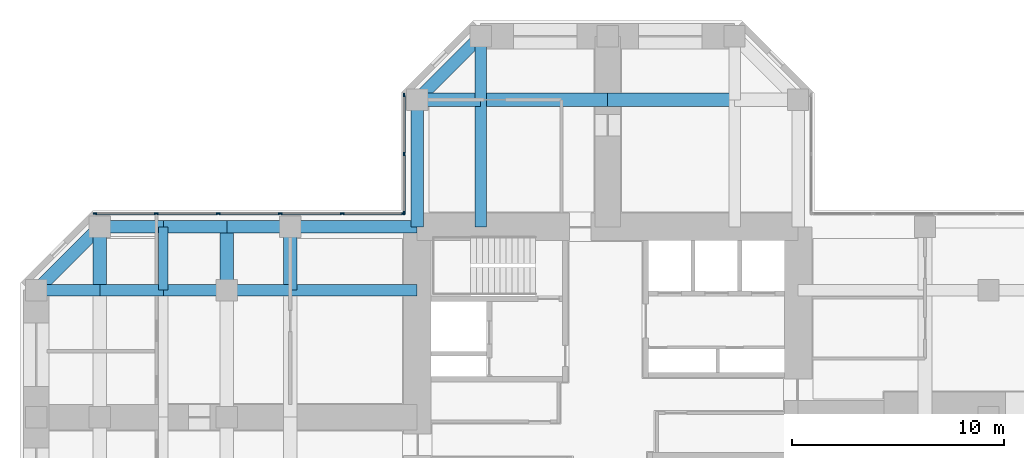
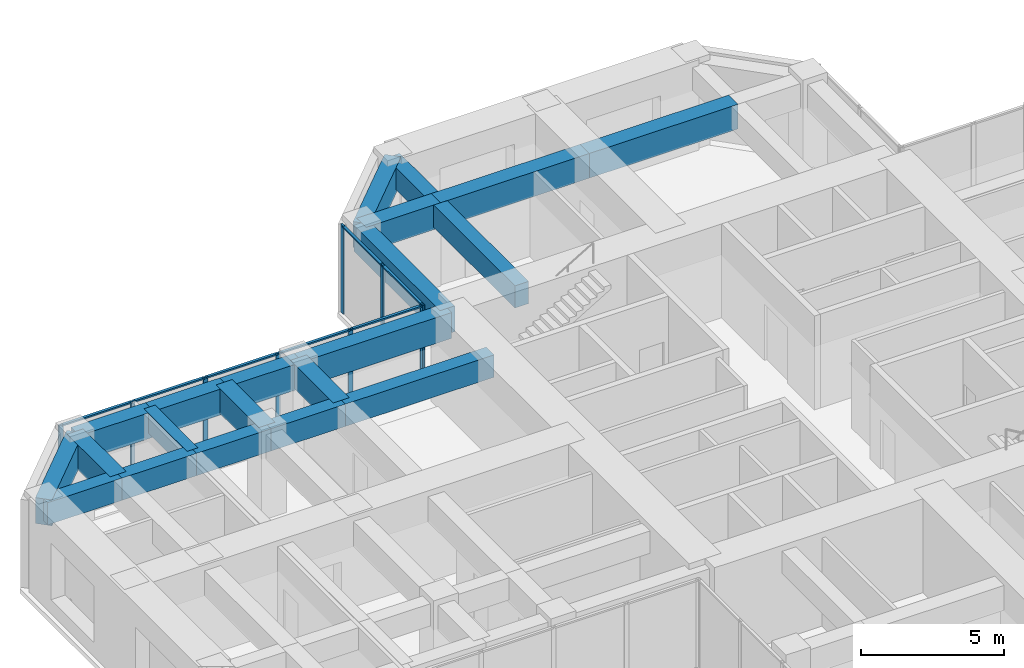
# One storey, part 5 of 13: 21 beams, 16 members, 2 elements without a shape of their own.
"""IFC4 building model written with IfcOpenShell, lengths in metres."""

import ifcopenshell
import ifcopenshell.guid

model = None  # the IFC model being written
_history = None  # IfcOwnerHistory: only IFC2X3 demands one
_inside = {}  # id of a spatial element -> (the spatial element, [elements in it])
_under = {}  # id of a project, library or spatial element -> (it, [spatial elements below it])
_declared = {}  # id of a project -> (the project, [libraries it declares])
_typed = {}  # id of a type object -> (the type object, [elements of that type])
_made_of = {}  # id of a material, layer set ... -> (it, [elements and type objects made of it])


def new_model(schema):
    """Start an empty IFC model of exactly this schema.

    Asked for "IFC4X3", IfcOpenShell would pick the latest addendum, in which some entities
    have other attributes; the version numbers below select the first issue.
    IFC2X3 requires an IfcOwnerHistory on every rooted entity: one is made here for all.
    """
    global model, _history
    if schema == "IFC4X3":
        model = ifcopenshell.file(schema_version=(4, 3, 0, 0))
    else:
        model = ifcopenshell.file(schema=schema)
    _inside.clear()
    _under.clear()
    _declared.clear()
    _typed.clear()
    _made_of.clear()
    _history = None
    if model.schema == "IFC2X3":
        org = make("IfcOrganization", Name="unknown")
        user = make(
            "IfcPersonAndOrganization",
            ThePerson=make("IfcPerson", FamilyName="unknown"),
            TheOrganization=org,
        )
        app = make(
            "IfcApplication",
            ApplicationDeveloper=org,
            Version="unknown",
            ApplicationFullName="unknown",
            ApplicationIdentifier="unknown",
        )
        _history = make(
            "IfcOwnerHistory",
            OwningUser=user,
            OwningApplication=app,
            ChangeAction="ADDED",
            CreationDate=0,
        )
    return model


def make(cls, **values):
    """One entity of the class cls with the attributes given. An attribute that is None is left unset."""
    return model.create_entity(
        cls, **{name: value for name, value in values.items() if value is not None}
    )


def rooted(cls, **values):
    """An entity with a GlobalId (a new one), such as an element, a storey or a relation."""
    return make(cls, GlobalId=ifcopenshell.guid.new(), OwnerHistory=_history, **values)


def si_unit(unit_type, name, prefix=None):
    """IfcSIUnit, for example si_unit("LENGTHUNIT", "METRE", prefix="MILLI")."""
    return make("IfcSIUnit", UnitType=unit_type, Prefix=prefix, Name=name)


def assignment(units):
    """IfcUnitAssignment: the units of a project."""
    return None if units is None else make("IfcUnitAssignment", Units=units)


def point(xyz):
    """IfcCartesianPoint."""
    return None if xyz is None else make("IfcCartesianPoint", Coordinates=xyz)


def direction(xyz):
    """IfcDirection."""
    return None if xyz is None else make("IfcDirection", DirectionRatios=xyz)


def frame(location, z_axis=None, x_axis=None):
    """IfcAxis2Placement3D, a coordinate frame: its origin and axes. An axis left out is left unset."""
    return make(
        "IfcAxis2Placement3D",
        Location=point(location),
        Axis=direction(z_axis),
        RefDirection=direction(x_axis),
    )


def frame_2d(location, x_axis=None):
    """IfcAxis2Placement2D, a coordinate frame in the plane: its origin and x axis."""
    return make(
        "IfcAxis2Placement2D", Location=point(location), RefDirection=direction(x_axis)
    )


def origin():
    """The frame at (0, 0, 0) with its axes left unset."""
    return frame((0.0, 0.0, 0.0))


def origin_2d():
    """The frame at (0, 0) in the plane with its x axis left unset."""
    return frame_2d((0.0, 0.0))


def place(relative_to, where):
    """IfcLocalPlacement: puts the frame where relative to a parent placement (None: the world)."""
    return make(
        "IfcLocalPlacement", PlacementRelTo=relative_to, RelativePlacement=where
    )


def context(
    kind, dimensions, precision=None, world=None, true_north=None, identifier=None
):
    """IfcGeometricRepresentationContext, for example the 3D "Model" context."""
    return make(
        "IfcGeometricRepresentationContext",
        ContextIdentifier=identifier,
        ContextType=kind,
        CoordinateSpaceDimension=dimensions,
        Precision=precision,
        WorldCoordinateSystem=world,
        TrueNorth=true_north,
    )


def subcontext(parent, identifier, kind, view, scale=None):
    """IfcGeometricRepresentationSubContext, for example "Body" below "Model"."""
    return make(
        "IfcGeometricRepresentationSubContext",
        ContextIdentifier=identifier,
        ContextType=kind,
        ParentContext=parent,
        TargetScale=scale,
        TargetView=view,
    )


def project(units=None, contexts=None):
    """IfcProject with its units and contexts."""
    return rooted(
        "IfcProject",
        Name="project",
        RepresentationContexts=contexts,
        UnitsInContext=assignment(units),
    )


def spatial(cls, under=None, at=None, **own):
    """A site, building, storey or space (cls), placed at a placement, below another one or the project."""
    s = rooted(cls, ObjectPlacement=at, **own)
    if under is not None:
        _under.setdefault(under.id(), (under, []))[1].append(s)
    return s


def profile(cls, at=None, kind="AREA", **sizes):
    """A parametric profile (cls). Its sizes go by their IFC names, for example OverallWidth=200.0."""
    return make(cls, ProfileType=kind, Position=at, **sizes)


def rectangle(**sizes):
    """IfcRectangleProfileDef."""
    return profile("IfcRectangleProfileDef", **sizes)


def extrude(swept, where, along, depth):
    """IfcExtrudedAreaSolid: the profile swept, set in the frame where, extruded along a direction by depth."""
    return make(
        "IfcExtrudedAreaSolid",
        SweptArea=swept,
        Position=where,
        ExtrudedDirection=direction(along),
        Depth=depth,
    )


def shape(context_of_items, identifier, shape_type, items):
    """IfcShapeRepresentation: the items that make up one representation, for example the "Body"."""
    return make(
        "IfcShapeRepresentation",
        ContextOfItems=context_of_items,
        RepresentationIdentifier=identifier,
        RepresentationType=shape_type,
        Items=items,
    )


def material(Name=None, Category=None):
    """IfcMaterial."""
    return make("IfcMaterial", Name=Name, Category=Category)


def material_profile(
    of_material, cross_section, Name=None, Category=None, Priority=None
):
    """IfcMaterialProfile: a cross section and its material."""
    return make(
        "IfcMaterialProfile",
        Name=Name,
        Material=of_material,
        Profile=cross_section,
        Priority=Priority,
        Category=Category,
    )


def profile_set(profiles, Name=None, composite=None):
    """IfcMaterialProfileSet."""
    return make(
        "IfcMaterialProfileSet",
        Name=Name,
        MaterialProfiles=profiles,
        CompositeProfile=composite,
    )


def made_of(thing, what):
    """Note that an element or type object is made of a material, layer set ...; save() writes the relation."""
    if what is not None:
        _made_of.setdefault(what.id(), (what, []))[1].append(thing)
    return thing


def type_object(cls, material=None, **own):
    """A type object (cls), such as IfcWallType, which elements share."""
    return made_of(rooted(cls, **own), material)


def element(
    cls,
    number,
    at=None,
    inside=None,
    cuts=None,
    type_object=None,
    material=None,
    context=None,
    identifier="Body",
    shape_type=None,
    held_by="IfcProductDefinitionShape",
    body=None,
    shapes=None,
    **own,
):
    """One element of the class cls, such as IfcWall. Its Tag is "e" and its number.

    at: its placement. inside: the storey or other place that contains it. cuts: it is an
    opening in that element (IfcRelVoidsElement). A single representation is given by context,
    identifier, shape_type and body (its items); several are given by shapes. held_by: the class
    of the entity that holds the representations. save() writes the other relations.
    """
    e = rooted(cls, Tag="e%d" % number, ObjectPlacement=at, **own)
    if body is not None:
        shapes = [shape(context, identifier, shape_type, body)]
    if shapes is not None:
        e.Representation = make(held_by, Representations=shapes)
    if inside is not None:
        _inside.setdefault(inside.id(), (inside, []))[1].append(e)
    if cuts is not None:
        rooted(
            "IfcRelVoidsElement", RelatingBuildingElement=cuts, RelatedOpeningElement=e
        )
    if type_object is not None:
        _typed.setdefault(type_object.id(), (type_object, []))[1].append(e)
    return made_of(e, material)


def aggregate(whole, parts):
    """IfcRelAggregates: a whole, such as a stair, and the parts it consists of."""
    return rooted("IfcRelAggregates", RelatingObject=whole, RelatedObjects=parts)


def save(model, path):
    """Write the relations noted so far, then the file.

    IfcRelAggregates (storeys below a building ...), IfcRelContainedInSpatialStructure (elements
    in a storey), IfcRelDefinesByType, IfcRelAssociatesMaterial and IfcRelDeclares: one each for
    every whole, place, type object, material and project.
    """
    for whole, parts in _under.values():
        aggregate(whole, parts)
    for where, things in _inside.values():
        rooted(
            "IfcRelContainedInSpatialStructure",
            RelatedElements=things,
            RelatingStructure=where,
        )
    for kind, things in _typed.values():
        rooted("IfcRelDefinesByType", RelatedObjects=things, RelatingType=kind)
    for what, things in _made_of.values():
        rooted("IfcRelAssociatesMaterial", RelatedObjects=things, RelatingMaterial=what)
    for by, libraries in _declared.values():
        rooted("IfcRelDeclares", RelatingContext=by, RelatedDefinitions=libraries)
    model.write(path)


model = new_model("IFC4")

# Units and contexts
model_context = context("Model", 3, precision=1e-05, world=origin(), true_north=direction((0.0, 1.0)))
body_context = subcontext(model_context, "Body", "Model", "MODEL_VIEW")
ifc_project = project(units=[si_unit("LENGTHUNIT", "METRE"), si_unit("AREAUNIT", "SQUARE_METRE"), si_unit("VOLUMEUNIT", "CUBIC_METRE"), si_unit("PLANEANGLEUNIT", "RADIAN"), si_unit("MASSUNIT", "GRAM", prefix="KILO")], contexts=[model_context])

# Site, building, storey
site_placement = place(None, origin())
site = spatial("IfcSite", under=ifc_project, at=site_placement, CompositionType="ELEMENT")
building_placement = place(site_placement, origin())
building = spatial("IfcBuilding", under=site, at=building_placement, Name="Torre Cruceta", CompositionType="ELEMENT")
storey_placement = place(building_placement, frame((0.0, 0.0, 160.5)))
storey = spatial("IfcBuildingStorey", under=building, at=storey_placement, Name="L39", CompositionType="ELEMENT", Elevation=160.5)

# Beams
ifc_material_1 = material(Name="Concrete G60 (fck 60 MPa)", Category="concrete")
ifc_material_profile_1 = material_profile(ifc_material_1, rectangle(XDim=0.550048828125, YDim=0.949951171875, at=origin_2d()), Name="RC 550X950")
ifc_profile_set_1 = profile_set([ifc_material_profile_1], Name="Concrete G60 (fck 60 MPa)")
beam_type_1 = type_object("IfcBeamType", Name="COLUMN LINE BEAM RC 550X950", PredefinedType="BEAM", material=ifc_profile_set_1)
beam_1_placement = place(storey_placement, frame((-6.0, 9.0, 3.27490234375), z_axis=(0.0, 1.0, 0.0), x_axis=(-1.0, 0.0, 0.0)))
element("IfcBeam", 1, at=beam_1_placement, inside=storey, type_object=beam_type_1, Name="LB3 L39 N col+ 1", PredefinedType="BEAM", context=body_context, shape_type="SweptSolid", body=[
    extrude(rectangle(XDim=0.550048828125, YDim=0.949951171875, at=origin_2d()), origin(), (0.0, 0.0, 1.0), 6.0),
])
beam_2_placement = place(storey_placement, frame((-6.0, 15.0, 3.27490234375), z_axis=(0.0, 1.0, 0.0), x_axis=(-1.0, 0.0, 0.0)))
element("IfcBeam", 2, at=beam_2_placement, inside=storey, type_object=beam_type_1, Name="LB3 L39 N col+ 2", PredefinedType="BEAM", context=body_context, shape_type="SweptSolid", body=[
    extrude(rectangle(XDim=0.550048828125, YDim=0.949951171875, at=origin_2d()), origin(), (0.0, 0.0, 1.0), 3.0),
])
beam_3_placement = place(storey_placement, frame((-9.0, 6.0, 3.27490234375), z_axis=(-1.0, 0.0, 0.0), x_axis=(0.0, -1.0, 0.0)))
element("IfcBeam", 3, at=beam_3_placement, inside=storey, type_object=beam_type_1, Name="LB3 L39 W col- 1", PredefinedType="BEAM", context=body_context, shape_type="SweptSolid", body=[
    extrude(rectangle(XDim=0.550048828125, YDim=0.949951171875, at=origin_2d()), origin(), (0.0, 0.0, 1.0), 6.0),
])
for number, where, z_axis, x_axis, name in (
    (4, (-15.0, 6.0, 3.27490234375), (-1.0, 0.0, 0.0), (0.0, -1.0, 0.0), "LB3 L39 W col- 2"),
    (5, (-18.0, 6.0, 3.27490234375), (-1.0, 0.0, 0.0), (0.0, -1.0, 0.0), "LB3 L39 W col- 3"),
    (6, (-21.0, 6.0, 3.27490234375), (-1.0, 0.0, 0.0), (0.0, -1.0, 0.0), "LB3 L39 W col- 4"),
    (7, (-24.0, 6.0, 3.27490234375), (-1.0, 0.0, 0.0), (0.0, -1.0, 0.0), "LB3 L39 W col- 5"),
):
    element("IfcBeam", number, at=place(storey_placement, frame(where, z_axis=z_axis, x_axis=x_axis)), inside=storey, type_object=beam_type_1, Name=name, PredefinedType="BEAM", context=body_context, shape_type="SweptSolid", body=[
        extrude(rectangle(XDim=0.550048828125, YDim=0.949951171875, at=origin_2d()), origin(), (0.0, 0.0, 1.0), 3.0),
    ])
ifc_material_2 = material(Name="Concrete G60 (fck 60 MPa)", Category="concrete")
ifc_material_profile_2 = material_profile(ifc_material_2, rectangle(XDim=0.64990234375, YDim=1.050048828125, at=origin_2d()), Name="RC 650X1050")
ifc_profile_set_2 = profile_set([ifc_material_profile_2], Name="Concrete G60 (fck 60 MPa)")
beam_type_2 = type_object("IfcBeamType", Name="CROSS BEAM RC 650X1050", PredefinedType="BEAM", material=ifc_profile_set_2)
for number, where, z_axis, x_axis, name in (
    (8, (6.0, 15.0, 3.22509765625), (-1.0, 0.0, 0.0), (0.0, -1.0, 0.0), "GB3 L39 N cross15 2"),
    (9, (0.0, 15.0, 3.22509765625), (-1.0, 0.0, 0.0), (0.0, -1.0, 0.0), "GB3 L39 N cross15 3"),
):
    element("IfcBeam", number, at=place(storey_placement, frame(where, z_axis=z_axis, x_axis=x_axis)), inside=storey, type_object=beam_type_2, Name=name, PredefinedType="BEAM", context=body_context, shape_type="SweptSolid", body=[
        extrude(rectangle(XDim=0.64990234375, YDim=1.050048828125, at=origin_2d()), origin(), (0.0, 0.0, 1.0), 6.0),
    ])
for number, where, z_axis, x_axis, name in (
    (10, (-6.0, 15.0, 3.22509765625), (-1.0, 0.0, 0.0), (0.0, -1.0, 0.0), "GB3 L39 N cross15 4"),
    (11, (-15.0, 9.0, 3.22509765625), (0.0, -1.0, 0.0), (1.0, 0.0, 0.0), "GB3 L39 W cross15 1"),
    (12, (-18.0, 9.0, 3.22509765625), (0.0, -1.0, 0.0), (1.0, 0.0, 0.0), "GB3 L39 W cross18 1"),
    (13, (-24.0, 9.0, 3.22509765625), (0.0, -1.0, 0.0), (1.0, 0.0, 0.0), "GB3 L39 W cross24 1"),
):
    element("IfcBeam", number, at=place(storey_placement, frame(where, z_axis=z_axis, x_axis=x_axis)), inside=storey, type_object=beam_type_2, Name=name, PredefinedType="BEAM", context=body_context, shape_type="SweptSolid", body=[
        extrude(rectangle(XDim=0.64990234375, YDim=1.050048828125, at=origin_2d()), origin(), (0.0, 0.0, 1.0), 3.0),
    ])

# Curtain wall, members
ifc_material_3 = material(Name="Aluminium unitised curtain wall", Category="aluminium")
curtain_wall_type = type_object("IfcCurtainWallType", Name="CURTAIN WALL CW-B OFFICE MID RISE", PredefinedType="USERDEFINED", material=ifc_material_3)
curtain_wall_1_placement = place(storey_placement, origin())
curtain_wall_1 = element("IfcCurtainWall", 14, at=curtain_wall_1_placement, inside=storey, type_object=curtain_wall_type, Name="CW-B L39 N side 09", ObjectType="UNITISED", PredefinedType="USERDEFINED")
ifc_material_4 = material(Name="Aluminium mullion", Category="aluminium")
ifc_material_profile_3 = material_profile(ifc_material_4, rectangle(XDim=0.06494140625, YDim=0.179931640625, at=origin_2d()), Name="AL 65X180")
ifc_profile_set_3 = profile_set([ifc_material_profile_3], Name="Aluminium mullion")
member_type_1 = type_object("IfcMemberType", Name="CW-B MULLION 65X180", PredefinedType="MULLION", material=ifc_profile_set_3)
member_1_placement = place(storey_placement, frame((-9.6201171875, 15.224365234375, 0.0), z_axis=(0.0, 0.0, 1.0), x_axis=(1.0, 0.0, 0.0)))
member_1 = element("IfcMember", 15, at=member_1_placement, type_object=member_type_1, Name="CW-B mullion 1", PredefinedType="MULLION", context=body_context, shape_type="SweptSolid", body=[
    extrude(rectangle(XDim=0.06494140625, YDim=0.179931640625, at=origin_2d()), origin(), (0.0, 0.0, 1.0), 3.75),
])
member_2_placement = place(storey_placement, frame((-9.6201171875, 12.4384765625, 0.0), z_axis=(0.0, 0.0, 1.0), x_axis=(1.0, 0.0, 0.0)))
member_2 = element("IfcMember", 16, at=member_2_placement, type_object=member_type_1, Name="CW-B mullion 2", PredefinedType="MULLION", context=body_context, shape_type="SweptSolid", body=[
    extrude(rectangle(XDim=0.06494140625, YDim=0.179931640625, at=origin_2d()), origin(), (0.0, 0.0, 1.0), 3.75),
])
member_3_placement = place(storey_placement, frame((-9.6201171875, 9.652587890625, 0.0), z_axis=(0.0, 0.0, 1.0), x_axis=(1.0, 0.0, 0.0)))
member_3 = element("IfcMember", 17, at=member_3_placement, type_object=member_type_1, Name="CW-B mullion 3", PredefinedType="MULLION", context=body_context, shape_type="SweptSolid", body=[
    extrude(rectangle(XDim=0.06494140625, YDim=0.179931640625, at=origin_2d()), origin(), (0.0, 0.0, 1.0), 3.75),
])

curtain_wall_2_placement = place(storey_placement, origin())
curtain_wall_2 = element("IfcCurtainWall", 18, at=curtain_wall_2_placement, inside=storey, type_object=curtain_wall_type, Name="CW-B L39 W side 10", ObjectType="UNITISED", PredefinedType="USERDEFINED")
member_4_placement = place(storey_placement, frame((-9.652587890625, 9.6201171875, 0.0), z_axis=(0.0, 0.0, 1.0), x_axis=(0.0, -1.0, 0.0)))
member_4 = element("IfcMember", 19, at=member_4_placement, type_object=member_type_1, Name="CW-B mullion 1", PredefinedType="MULLION", context=body_context, shape_type="SweptSolid", body=[
    extrude(rectangle(XDim=0.06494140625, YDim=0.179931640625, at=origin_2d()), origin(), (0.0, 0.0, 1.0), 3.75),
])
member_5_placement = place(storey_placement, frame((-12.54736328125, 9.6201171875, 0.0), z_axis=(0.0, 0.0, 1.0), x_axis=(0.0, -1.0, 0.0)))
member_5 = element("IfcMember", 20, at=member_5_placement, type_object=member_type_1, Name="CW-B mullion 2", PredefinedType="MULLION", context=body_context, shape_type="SweptSolid", body=[
    extrude(rectangle(XDim=0.06494140625, YDim=0.179931640625, at=origin_2d()), origin(), (0.0, 0.0, 1.0), 3.75),
])
member_6_placement = place(storey_placement, frame((-15.474609375, 9.6201171875, 0.0), z_axis=(0.0, 0.0, 1.0), x_axis=(0.0, -1.0, 0.0)))
member_6 = element("IfcMember", 21, at=member_6_placement, type_object=member_type_1, Name="CW-B mullion 3", PredefinedType="MULLION", context=body_context, shape_type="SweptSolid", body=[
    extrude(rectangle(XDim=0.06494140625, YDim=0.179931640625, at=origin_2d()), origin(), (0.0, 0.0, 1.0), 3.75),
])
member_7_placement = place(storey_placement, frame((-18.402099609375, 9.6201171875, 0.0), z_axis=(0.0, 0.0, 1.0), x_axis=(0.0, -1.0, 0.0)))
member_7 = element("IfcMember", 22, at=member_7_placement, type_object=member_type_1, Name="CW-B mullion 4", PredefinedType="MULLION", context=body_context, shape_type="SweptSolid", body=[
    extrude(rectangle(XDim=0.06494140625, YDim=0.179931640625, at=origin_2d()), origin(), (0.0, 0.0, 1.0), 3.75),
])
member_8_placement = place(storey_placement, frame((-21.329345703125, 9.6201171875, 0.0), z_axis=(0.0, 0.0, 1.0), x_axis=(0.0, -1.0, 0.0)))
member_8 = element("IfcMember", 23, at=member_8_placement, type_object=member_type_1, Name="CW-B mullion 5", PredefinedType="MULLION", context=body_context, shape_type="SweptSolid", body=[
    extrude(rectangle(XDim=0.06494140625, YDim=0.179931640625, at=origin_2d()), origin(), (0.0, 0.0, 1.0), 3.75),
])
member_9_placement = place(storey_placement, frame((-24.224365234375, 9.6201171875, 0.0), z_axis=(0.0, 0.0, 1.0), x_axis=(0.0, -1.0, 0.0)))
member_9 = element("IfcMember", 24, at=member_9_placement, type_object=member_type_1, Name="CW-B mullion 6", PredefinedType="MULLION", context=body_context, shape_type="SweptSolid", body=[
    extrude(rectangle(XDim=0.06494140625, YDim=0.179931640625, at=origin_2d()), origin(), (0.0, 0.0, 1.0), 3.75),
])

# Member
ifc_material_5 = material(Name="Aluminium transom", Category="aluminium")
ifc_material_profile_4 = material_profile(ifc_material_5, rectangle(XDim=0.110107421875, YDim=0.06494140625, at=origin_2d()), Name="AL 110X65")
ifc_profile_set_4 = profile_set([ifc_material_profile_4], Name="Aluminium transom")
member_type_2 = type_object("IfcMemberType", Name="CW-B TRANSOM 65X110", PredefinedType="USERDEFINED", material=ifc_profile_set_4)
member_10_placement = place(storey_placement, frame((-9.6201171875, 15.19189453125, 3.717529296875), z_axis=(0.0, -1.0, 0.0), x_axis=(1.0, 0.0, 0.0)))
member_10 = element("IfcMember", 25, at=member_10_placement, type_object=member_type_2, Name="CW-B transom 1", ObjectType="TRANSOM", PredefinedType="USERDEFINED", context=body_context, shape_type="SweptSolid", body=[
    extrude(rectangle(XDim=0.110107421875, YDim=0.06494140625, at=origin_2d()), origin(), (0.0, 0.0, 1.0), 2.720947265625),
])

member_11_placement = place(storey_placement, frame((-9.6201171875, 12.406005859375, 3.717529296875), z_axis=(0.0, -1.0, 0.0), x_axis=(1.0, 0.0, 0.0)))
member_11 = element("IfcMember", 26, at=member_11_placement, type_object=member_type_2, Name="CW-B transom 2", ObjectType="TRANSOM", PredefinedType="USERDEFINED", context=body_context, shape_type="SweptSolid", body=[
    extrude(rectangle(XDim=0.110107421875, YDim=0.06494140625, at=origin_2d()), origin(), (0.0, 0.0, 1.0), 2.720947265625),
])

aggregate(curtain_wall_1, [member_1, member_2, member_3, member_10, member_11])

member_12_placement = place(storey_placement, frame((-9.68505859375, 9.6201171875, 3.717529296875), z_axis=(-1.0, 0.0, 0.0), x_axis=(0.0, -1.0, 0.0)))
member_12 = element("IfcMember", 27, at=member_12_placement, type_object=member_type_2, Name="CW-B transom 1", ObjectType="TRANSOM", PredefinedType="USERDEFINED", context=body_context, shape_type="SweptSolid", body=[
    extrude(rectangle(XDim=0.110107421875, YDim=0.06494140625, at=origin_2d()), origin(), (0.0, 0.0, 1.0), 2.829833984375),
])

member_13_placement = place(storey_placement, frame((-12.579833984375, 9.6201171875, 3.717529296875), z_axis=(-1.0, 0.0, 0.0), x_axis=(0.0, -1.0, 0.0)))
member_13 = element("IfcMember", 28, at=member_13_placement, type_object=member_type_2, Name="CW-B transom 2", ObjectType="TRANSOM", PredefinedType="USERDEFINED", context=body_context, shape_type="SweptSolid", body=[
    extrude(rectangle(XDim=0.110107421875, YDim=0.06494140625, at=origin_2d()), origin(), (0.0, 0.0, 1.0), 2.8623046875),
])

member_14_placement = place(storey_placement, frame((-15.50732421875, 9.6201171875, 3.717529296875), z_axis=(-1.0, 0.0, 0.0), x_axis=(0.0, -1.0, 0.0)))
member_14 = element("IfcMember", 29, at=member_14_placement, type_object=member_type_2, Name="CW-B transom 3", ObjectType="TRANSOM", PredefinedType="USERDEFINED", context=body_context, shape_type="SweptSolid", body=[
    extrude(rectangle(XDim=0.110107421875, YDim=0.06494140625, at=origin_2d()), origin(), (0.0, 0.0, 1.0), 2.8623046875),
])

member_15_placement = place(storey_placement, frame((-18.4345703125, 9.6201171875, 3.717529296875), z_axis=(-1.0, 0.0, 0.0), x_axis=(0.0, -1.0, 0.0)))
member_15 = element("IfcMember", 30, at=member_15_placement, type_object=member_type_2, Name="CW-B transom 4", ObjectType="TRANSOM", PredefinedType="USERDEFINED", context=body_context, shape_type="SweptSolid", body=[
    extrude(rectangle(XDim=0.110107421875, YDim=0.06494140625, at=origin_2d()), origin(), (0.0, 0.0, 1.0), 2.8623046875),
])

member_16_placement = place(storey_placement, frame((-21.362060546875, 9.6201171875, 3.717529296875), z_axis=(-1.0, 0.0, 0.0), x_axis=(0.0, -1.0, 0.0)))
member_16 = element("IfcMember", 31, at=member_16_placement, type_object=member_type_2, Name="CW-B transom 5", ObjectType="TRANSOM", PredefinedType="USERDEFINED", context=body_context, shape_type="SweptSolid", body=[
    extrude(rectangle(XDim=0.110107421875, YDim=0.06494140625, at=origin_2d()), origin(), (0.0, 0.0, 1.0), 2.829833984375),
])

aggregate(curtain_wall_2, [member_4, member_5, member_6, member_7, member_8, member_9, member_12, member_13, member_14, member_15, member_16])

# Beams
ifc_material_6 = material(Name="Concrete G60 (fck 60 MPa)", Category="concrete")
ifc_material_profile_5 = material_profile(ifc_material_6, rectangle(XDim=0.449951171875, YDim=0.85009765625, at=origin_2d()), Name="RC 450X850")
ifc_profile_set_5 = profile_set([ifc_material_profile_5], Name="Concrete G60 (fck 60 MPa)")
beam_type_3 = type_object("IfcBeamType", Name="SECONDARY BEAM RC 450X850", PredefinedType="JOIST", material=ifc_profile_set_5)
beam_4_placement = place(storey_placement, frame((-21.0, 9.0, 3.324951171875), z_axis=(0.0, -1.0, 0.0), x_axis=(1.0, 0.0, 0.0)))
element("IfcBeam", 32, at=beam_4_placement, inside=storey, type_object=beam_type_3, Name="JB4 L39 W sec21 1", PredefinedType="JOIST", context=body_context, shape_type="SweptSolid", body=[
    extrude(rectangle(XDim=0.449951171875, YDim=0.85009765625, at=origin_2d()), origin(), (0.0, 0.0, 1.0), 3.0),
])
ifc_material_7 = material(Name="Concrete G60 (fck 60 MPa)", Category="concrete")
ifc_material_profile_6 = material_profile(ifc_material_7, rectangle(XDim=0.60009765625, YDim=1.10009765625, at=origin_2d()), Name="RC 600X1100")
ifc_profile_set_6 = profile_set([ifc_material_profile_6], Name="Concrete G60 (fck 60 MPa)")
beam_type_4 = type_object("IfcBeamType", Name="SPANDREL BEAM RC 600X1100", PredefinedType="SPANDREL", material=ifc_profile_set_6)
beam_5_placement = place(storey_placement, frame((-9.0, 9.0, 3.199951171875), z_axis=(0.0, 1.0, 0.0), x_axis=(-1.0, 0.0, 0.0)))
element("IfcBeam", 33, at=beam_5_placement, inside=storey, type_object=beam_type_4, Name="SB2 L39 N side+ 1", PredefinedType="SPANDREL", context=body_context, shape_type="SweptSolid", body=[
    extrude(rectangle(XDim=0.60009765625, YDim=1.10009765625, at=origin_2d()), origin(), (0.0, 0.0, 1.0), 6.0),
])
beam_6_placement = place(storey_placement, frame((-9.0, 15.0, 3.199951171875), z_axis=(0.707106781187, 0.707106781187, 0.0), x_axis=(-0.707106781187, 0.707106781187, 0.0)))
element("IfcBeam", 34, at=beam_6_placement, inside=storey, type_object=beam_type_4, Name="SB2 L39 N side+ 2", PredefinedType="SPANDREL", context=body_context, shape_type="SweptSolid", body=[
    extrude(rectangle(XDim=0.60009765625, YDim=1.10009765625, at=origin_2d()), origin(), (0.0, 0.0, 1.0), 4.24267578125),
])
beam_7_placement = place(storey_placement, frame((-9.0, 9.0, 3.199951171875), z_axis=(-1.0, 0.0, 0.0), x_axis=(0.0, -1.0, 0.0)))
element("IfcBeam", 35, at=beam_7_placement, inside=storey, type_object=beam_type_4, Name="SB2 L39 W side- 1", PredefinedType="SPANDREL", context=body_context, shape_type="SweptSolid", body=[
    extrude(rectangle(XDim=0.60009765625, YDim=1.10009765625, at=origin_2d()), origin(), (0.0, 0.0, 1.0), 6.0),
])
for number, where, z_axis, x_axis, name in (
    (36, (-15.0, 9.0, 3.199951171875), (-1.0, 0.0, 0.0), (0.0, -1.0, 0.0), "SB2 L39 W side- 2"),
    (37, (-18.0, 9.0, 3.199951171875), (-1.0, 0.0, 0.0), (0.0, -1.0, 0.0), "SB2 L39 W side- 3"),
    (38, (-21.0, 9.0, 3.199951171875), (-1.0, 0.0, 0.0), (0.0, -1.0, 0.0), "SB2 L39 W side- 4"),
):
    element("IfcBeam", number, at=place(storey_placement, frame(where, z_axis=z_axis, x_axis=x_axis)), inside=storey, type_object=beam_type_4, Name=name, PredefinedType="SPANDREL", context=body_context, shape_type="SweptSolid", body=[
        extrude(rectangle(XDim=0.60009765625, YDim=1.10009765625, at=origin_2d()), origin(), (0.0, 0.0, 1.0), 3.0),
    ])
beam_8_placement = place(storey_placement, frame((-24.0, 9.0, 3.199951171875), z_axis=(-0.707106781187, -0.707106781187, 0.0), x_axis=(0.707106781187, -0.707106781187, 0.0)))
element("IfcBeam", 39, at=beam_8_placement, inside=storey, type_object=beam_type_4, Name="SB2 L39 W side- 5", PredefinedType="SPANDREL", context=body_context, shape_type="SweptSolid", body=[
    extrude(rectangle(XDim=0.60009765625, YDim=1.10009765625, at=origin_2d()), origin(), (0.0, 0.0, 1.0), 4.24267578125),
])

save(model, "model.ifc")
